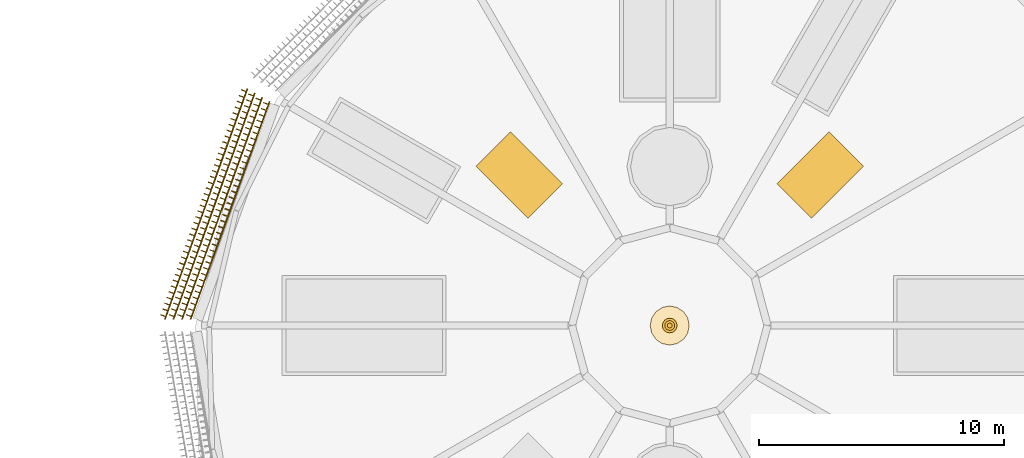
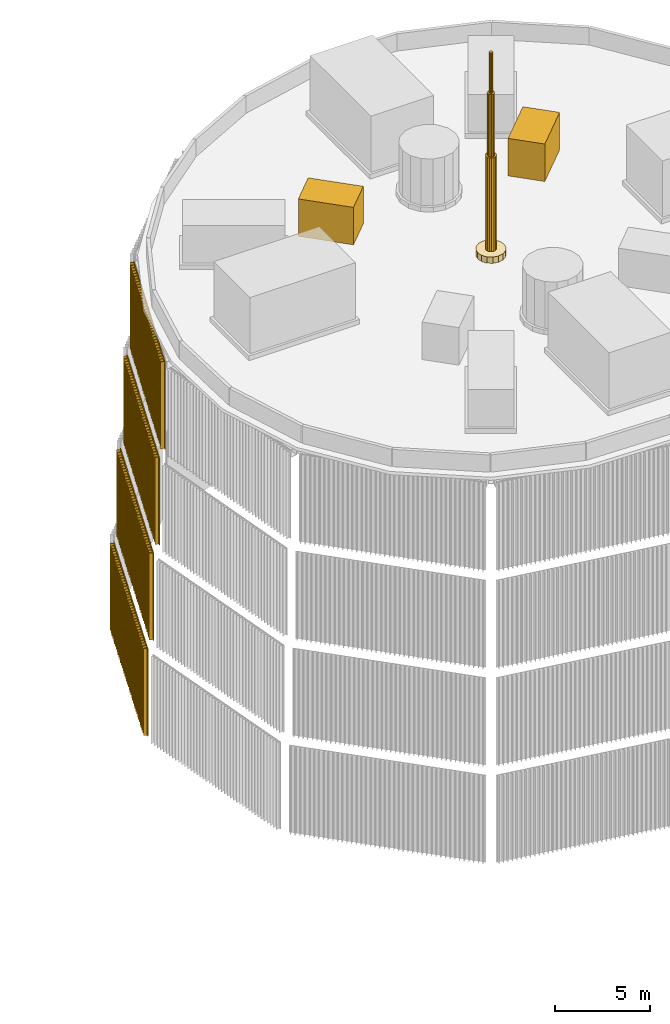
# One storey, part 16 of 24: 10 coverings.
"""IFC4 building model written with IfcOpenShell, lengths in metres."""

from ifc_helpers import new_model, si_unit, direction, frame, origin, place, context, subcontext, project, spatial, polyline, outline, extrude, material, type_object, element, save


model = new_model("IFC4")

# Units and contexts
model_context = context("Model", 3, precision=1e-05, world=origin(), true_north=direction((0.0, 1.0)))
body_context = subcontext(model_context, "Body", "Model", "MODEL_VIEW")
ifc_project = project(units=[si_unit("LENGTHUNIT", "METRE"), si_unit("AREAUNIT", "SQUARE_METRE"), si_unit("VOLUMEUNIT", "CUBIC_METRE"), si_unit("PLANEANGLEUNIT", "RADIAN"), si_unit("MASSUNIT", "GRAM", prefix="KILO")], contexts=[model_context])

# Site, building, storey
site_placement = place(None, origin())
site = spatial("IfcSite", under=ifc_project, at=site_placement, CompositionType="ELEMENT")
building_placement = place(site_placement, origin())
building = spatial("IfcBuilding", under=site, at=building_placement, Name="Rimbun Link Towers", CompositionType="ELEMENT")
storey_placement = place(building_placement, frame((0.0, 0.0, 294.89990234375)))
storey = spatial("IfcBuildingStorey", under=building, at=storey_placement, Name="Roof cap", CompositionType="ELEMENT", Elevation=294.89990234375)

# Coverings
ifc_material_1 = material(Name="Aluminium 6063-T6", Category="aluminium")
covering_type_1 = type_object("IfcCoveringType", Name="ROOF PLANT louvred enclosure 3000X2000X2400", PredefinedType="CLADDING", material=ifc_material_1)
covering_1_placement = place(storey_placement, frame((0.0, 0.0, 0.7001953125)))
element("IfcCovering", 1, at=covering_1_placement, inside=storey, type_object=covering_type_1, Name="ROOF PLANT louvred enclosure", PredefinedType="CLADDING", context=body_context, shape_type="SweptSolid", body=[
    extrude(outline(polyline([(37.54931640625, 4.385009765625), (39.670654296875, 6.50634765625), (38.25634765625, 7.920654296875), (36.135009765625, 5.79931640625), (37.54931640625, 4.385009765625)])), origin(), (0.0, 0.0, 1.0), 2.39990234375),
])
covering_2_placement = place(storey_placement, frame((0.0, 0.0, 0.7001953125)))
element("IfcCovering", 2, at=covering_2_placement, inside=storey, type_object=covering_type_1, Name="ROOF PLANT louvred enclosure", PredefinedType="CLADDING", context=body_context, shape_type="SweptSolid", body=[
    extrude(outline(polyline([(27.364990234375, 5.79931640625), (25.24365234375, 7.920654296875), (23.829345703125, 6.50634765625), (25.95068359375, 4.385009765625), (27.364990234375, 5.79931640625)])), origin(), (0.0, 0.0, 1.0), 2.39990234375),
])
ifc_material_2 = material(Name="Galvanised steel", Category="steel")
covering_type_2 = type_object("IfcCoveringType", Name="TELECOM MAST base ring 1600X400", PredefinedType="CLADDING", material=ifc_material_2)
covering_3_placement = place(storey_placement, frame((0.0, 0.0, 0.7001953125)))
element("IfcCovering", 3, at=covering_3_placement, inside=storey, type_object=covering_type_2, Name="TELECOM MAST base ring", PredefinedType="CLADDING", context=body_context, shape_type="SweptSolid", body=[
    extrude(outline(polyline([(32.550048828125, 0.0), (32.489013671875, 0.30615234375), (32.315673828125, 0.565673828125), (32.05615234375, 0.739013671875), (31.75, 0.800048828125), (31.44384765625, 0.739013671875), (31.184326171875, 0.565673828125), (31.010986328125, 0.30615234375), (30.949951171875, 0.0), (31.010986328125, -0.30615234375), (31.184326171875, -0.565673828125), (31.44384765625, -0.739013671875), (31.75, -0.800048828125), (32.05615234375, -0.739013671875), (32.315673828125, -0.565673828125), (32.489013671875, -0.30615234375), (32.550048828125, 0.0)])), origin(), (0.0, 0.0, 1.0), 0.39990234375),
])
ifc_material_3 = material(Name="Galvanised steel", Category="steel")
covering_type_3 = type_object("IfcCoveringType", Name="TELECOM MAST tube 200X2600", PredefinedType="CLADDING", material=ifc_material_3)
covering_4_placement = place(storey_placement, frame((0.0, 0.0, 11.10009765625)))
element("IfcCovering", 4, at=covering_4_placement, inside=storey, type_object=covering_type_3, Name="TELECOM MAST tube", PredefinedType="CLADDING", context=body_context, shape_type="SweptSolid", body=[
    extrude(outline(polyline([(31.85009765625, 0.0), (31.84228515625, 0.038330078125), (31.82080078125, 0.07080078125), (31.788330078125, 0.09228515625), (31.75, 0.10009765625), (31.711669921875, 0.09228515625), (31.67919921875, 0.07080078125), (31.65771484375, 0.038330078125), (31.64990234375, 0.0), (31.65771484375, -0.038330078125), (31.67919921875, -0.07080078125), (31.711669921875, -0.09228515625), (31.75, -0.10009765625), (31.788330078125, -0.09228515625), (31.82080078125, -0.07080078125), (31.84228515625, -0.038330078125), (31.85009765625, 0.0)])), origin(), (0.0, 0.0, 1.0), 2.60009765625),
])
ifc_material_4 = material(Name="Galvanised steel", Category="steel")
covering_type_4 = type_object("IfcCoveringType", Name="TELECOM MAST tube 400X4000", PredefinedType="CLADDING", material=ifc_material_4)
covering_5_placement = place(storey_placement, frame((0.0, 0.0, 7.10009765625)))
element("IfcCovering", 5, at=covering_5_placement, inside=storey, type_object=covering_type_4, Name="TELECOM MAST tube", PredefinedType="CLADDING", context=body_context, shape_type="SweptSolid", body=[
    extrude(outline(polyline([(31.949951171875, 0.0), (31.934814453125, 0.076416015625), (31.891357421875, 0.141357421875), (31.826416015625, 0.184814453125), (31.75, 0.199951171875), (31.673583984375, 0.184814453125), (31.608642578125, 0.141357421875), (31.565185546875, 0.076416015625), (31.550048828125, 0.0), (31.565185546875, -0.076416015625), (31.608642578125, -0.141357421875), (31.673583984375, -0.184814453125), (31.75, -0.199951171875), (31.826416015625, -0.184814453125), (31.891357421875, -0.141357421875), (31.934814453125, -0.076416015625), (31.949951171875, 0.0)])), origin(), (0.0, 0.0, 1.0), 4.0),
])
ifc_material_5 = material(Name="Galvanised steel", Category="steel")
covering_type_5 = type_object("IfcCoveringType", Name="TELECOM MAST tube 600X6000", PredefinedType="CLADDING", material=ifc_material_5)
covering_6_placement = place(storey_placement, frame((0.0, 0.0, 1.10009765625)))
element("IfcCovering", 6, at=covering_6_placement, inside=storey, type_object=covering_type_5, Name="TELECOM MAST tube", PredefinedType="CLADDING", context=body_context, shape_type="SweptSolid", body=[
    extrude(outline(polyline([(32.050048828125, 0.0), (32.027099609375, 0.11474609375), (31.962158203125, 0.212158203125), (31.86474609375, 0.277099609375), (31.75, 0.300048828125), (31.63525390625, 0.277099609375), (31.537841796875, 0.212158203125), (31.472900390625, 0.11474609375), (31.449951171875, 0.0), (31.472900390625, -0.11474609375), (31.537841796875, -0.212158203125), (31.63525390625, -0.277099609375), (31.75, -0.300048828125), (31.86474609375, -0.277099609375), (31.962158203125, -0.212158203125), (32.027099609375, -0.11474609375), (32.050048828125, 0.0)])), origin(), (0.0, 0.0, 1.0), 6.0),
])
ifc_material_6 = material(Name="Terracotta", Category="masonry")
covering_type_6 = type_object("IfcCoveringType", Name="TERRACOTTA CLADDING screen fins", PredefinedType="CLADDING", material=ifc_material_6)
covering_7_placement = place(storey_placement, frame((0.0, 0.0, -23.087890625)))
element("IfcCovering", 7, at=covering_7_placement, inside=storey, type_object=covering_type_6, Name="TERRACOTTA CLADDING screen", PredefinedType="CLADDING", context=body_context, shape_type="SweptSolid", body=[
    extrude(outline(polyline([(14.456787109375, 9.69091796875), (14.419677734375, 9.587158203125), (14.2314453125, 9.654541015625), (14.22119140625, 9.626220703125), (14.40966796875, 9.558837890625), (14.335205078125, 9.351318359375), (14.14697265625, 9.41845703125), (14.136962890625, 9.390380859375), (14.3251953125, 9.322998046875), (14.2509765625, 9.115234375), (14.0625, 9.1826171875), (14.052490234375, 9.154296875), (14.24072265625, 9.0869140625), (14.16650390625, 8.87939453125), (13.978271484375, 8.94677734375), (13.968017578125, 8.91845703125), (14.156494140625, 8.85107421875), (14.082275390625, 8.643310546875), (13.893798828125, 8.710693359375), (13.8837890625, 8.6826171875), (14.072021484375, 8.615234375), (13.997802734375, 8.407470703125), (13.809326171875, 8.474853515625), (13.79931640625, 8.446533203125), (13.98779296875, 8.379150390625), (13.913330078125, 8.171630859375), (13.72509765625, 8.239013671875), (13.715087890625, 8.210693359375), (13.9033203125, 8.143310546875), (13.8291015625, 7.935546875), (13.640625, 8.0029296875), (13.630615234375, 7.974609375), (13.81884765625, 7.907470703125), (13.74462890625, 7.69970703125), (13.556396484375, 7.76708984375), (13.546142578125, 7.73876953125), (13.734619140625, 7.67138671875), (13.66015625, 7.4638671875), (13.471923828125, 7.531005859375), (13.4619140625, 7.5029296875), (13.650146484375, 7.435546875), (13.57568359375, 7.227783203125), (13.387451171875, 7.295166015625), (13.37744140625, 7.26708984375), (13.565673828125, 7.19970703125), (13.491455078125, 6.991943359375), (13.302978515625, 7.059326171875), (13.29296875, 7.031005859375), (13.481201171875, 6.963623046875), (13.406982421875, 6.756103515625), (13.21875, 6.823486328125), (13.20849609375, 6.795166015625), (13.39697265625, 6.727783203125), (13.32275390625, 6.52001953125), (13.134521484375, 6.58740234375), (13.124267578125, 6.55908203125), (13.3125, 6.49169921875), (13.23828125, 6.2841796875), (13.050048828125, 6.3515625), (13.039794921875, 6.3232421875), (13.228271484375, 6.255859375), (13.15380859375, 6.048095703125), (12.965576171875, 6.115478515625), (12.95556640625, 6.08740234375), (13.143798828125, 6.02001953125), (13.069580078125, 5.812255859375), (12.881103515625, 5.879638671875), (12.87109375, 5.851318359375), (13.059326171875, 5.7841796875), (12.985107421875, 5.576416015625), (12.796875, 5.643798828125), (12.78662109375, 5.615478515625), (12.97509765625, 5.548095703125), (12.900634765625, 5.340576171875), (12.71240234375, 5.40771484375), (12.702392578125, 5.379638671875), (12.890625, 5.312255859375), (12.81640625, 5.1044921875), (12.6279296875, 5.171875), (12.617919921875, 5.143798828125), (12.806396484375, 5.076416015625), (12.73193359375, 4.86865234375), (12.543701171875, 4.93603515625), (12.53369140625, 4.90771484375), (12.721923828125, 4.84033203125), (12.647705078125, 4.6328125), (12.459228515625, 4.7001953125), (12.44921875, 4.671875), (12.637451171875, 4.6044921875), (12.563232421875, 4.396728515625), (12.375, 4.464111328125), (12.36474609375, 4.435791015625), (12.552978515625, 4.368408203125), (12.478759765625, 4.160888671875), (12.29052734375, 4.228271484375), (12.280517578125, 4.199951171875), (12.46875, 4.132568359375), (12.394287109375, 3.9248046875), (12.2060546875, 3.9921875), (12.196044921875, 3.964111328125), (12.38427734375, 3.896728515625), (12.31005859375, 3.68896484375), (12.12158203125, 3.75634765625), (12.111572265625, 3.72802734375), (12.2998046875, 3.660888671875), (12.2255859375, 3.453125), (12.037353515625, 3.5205078125), (12.027099609375, 3.4921875), (12.215576171875, 3.4248046875), (12.141357421875, 3.21728515625), (11.952880859375, 3.284423828125), (11.94287109375, 3.25634765625), (12.131103515625, 3.18896484375), (12.056884765625, 2.981201171875), (11.86865234375, 3.048583984375), (11.8583984375, 3.0205078125), (12.046875, 2.952880859375), (11.972412109375, 2.745361328125), (11.7841796875, 2.812744140625), (11.774169921875, 2.784423828125), (11.96240234375, 2.717041015625), (11.88818359375, 2.509521484375), (11.69970703125, 2.576904296875), (11.689697265625, 2.548583984375), (11.8779296875, 2.481201171875), (11.8037109375, 2.2734375), (11.615478515625, 2.3408203125), (11.605224609375, 2.3125), (11.793701171875, 2.2451171875), (11.71923828125, 2.03759765625), (11.531005859375, 2.10498046875), (11.52099609375, 2.07666015625), (11.709228515625, 2.00927734375), (11.635009765625, 1.801513671875), (11.446533203125, 1.868896484375), (11.4365234375, 1.8408203125), (11.625, 1.7734375), (11.550537109375, 1.565673828125), (11.3623046875, 1.633056640625), (11.352294921875, 1.604736328125), (11.54052734375, 1.53759765625), (11.46630859375, 1.329833984375), (11.27783203125, 1.397216796875), (11.267822265625, 1.368896484375), (11.4560546875, 1.301513671875), (11.3818359375, 1.093994140625), (11.193603515625, 1.1611328125), (11.183349609375, 1.133056640625), (11.37158203125, 1.065673828125), (11.29736328125, 0.85791015625), (11.109130859375, 0.92529296875), (11.09912109375, 0.89697265625), (11.287353515625, 0.82958984375), (11.212890625, 0.6220703125), (11.024658203125, 0.689453125), (11.0146484375, 0.6611328125), (11.202880859375, 0.59375), (11.128662109375, 0.385986328125), (10.940185546875, 0.453369140625), (10.93017578125, 0.42529296875), (11.118408203125, 0.35791015625), (11.081298828125, 0.25390625), (11.134521484375, 0.25390625), (14.500732421875, 9.66552734375), (14.456787109375, 9.69091796875)])), origin(), (0.0, 0.0, 1.0), 5.575927734375),
])
covering_8_placement = place(storey_placement, frame((0.0, 0.0, -17.087890625)))
element("IfcCovering", 8, at=covering_8_placement, inside=storey, type_object=covering_type_6, Name="TERRACOTTA CLADDING screen", PredefinedType="CLADDING", context=body_context, shape_type="SweptSolid", body=[
    extrude(outline(polyline([(14.760009765625, 9.515869140625), (14.722412109375, 9.411376953125), (14.5341796875, 9.47900390625), (14.52392578125, 9.45068359375), (14.712158203125, 9.383056640625), (14.636962890625, 9.173828125), (14.44873046875, 9.241455078125), (14.438720703125, 9.213134765625), (14.626953125, 9.1455078125), (14.5517578125, 8.936279296875), (14.36328125, 9.00390625), (14.353271484375, 8.9755859375), (14.54150390625, 8.908203125), (14.46630859375, 8.698974609375), (14.278076171875, 8.7666015625), (14.267822265625, 8.73828125), (14.456298828125, 8.670654296875), (14.381103515625, 8.46142578125), (14.192626953125, 8.529052734375), (14.1826171875, 8.500732421875), (14.370849609375, 8.43310546875), (14.295654296875, 8.223876953125), (14.107421875, 8.29150390625), (14.09716796875, 8.26318359375), (14.285400390625, 8.195556640625), (14.210205078125, 7.986328125), (14.02197265625, 8.053955078125), (14.011962890625, 8.02587890625), (14.2001953125, 7.958251953125), (14.125, 7.748779296875), (13.936767578125, 7.81640625), (13.926513671875, 7.788330078125), (14.11474609375, 7.720703125), (14.03955078125, 7.511474609375), (13.851318359375, 7.5791015625), (13.84130859375, 7.55078125), (14.029296875, 7.483154296875), (13.9541015625, 7.27392578125), (13.76611328125, 7.341552734375), (13.755859375, 7.313232421875), (13.944091796875, 7.24560546875), (13.868896484375, 7.03662109375), (13.6806640625, 7.10400390625), (13.67041015625, 7.075927734375), (13.858642578125, 7.00830078125), (13.783447265625, 6.799072265625), (13.59521484375, 6.86669921875), (13.585205078125, 6.83837890625), (13.7734375, 6.770751953125), (13.6982421875, 6.5615234375), (13.510009765625, 6.629150390625), (13.499755859375, 6.600830078125), (13.68798828125, 6.533203125), (13.61279296875, 6.323974609375), (13.424560546875, 6.3916015625), (13.41455078125, 6.36328125), (13.602783203125, 6.2958984375), (13.527587890625, 6.08642578125), (13.33935546875, 6.154296875), (13.3291015625, 6.1259765625), (13.517333984375, 6.058349609375), (13.442138671875, 5.84912109375), (13.25390625, 5.916748046875), (13.243896484375, 5.888427734375), (13.431884765625, 5.82080078125), (13.356689453125, 5.611572265625), (13.168701171875, 5.67919921875), (13.158447265625, 5.65087890625), (13.3466796875, 5.583251953125), (13.271484375, 5.3740234375), (13.083251953125, 5.441650390625), (13.072998046875, 5.41357421875), (13.26123046875, 5.345703125), (13.18603515625, 5.13671875), (12.997802734375, 5.2041015625), (12.98779296875, 5.176025390625), (13.17578125, 5.1083984375), (13.1005859375, 4.899169921875), (12.91259765625, 4.966796875), (12.90234375, 4.9384765625), (13.090576171875, 4.870849609375), (13.015380859375, 4.66162109375), (12.8271484375, 4.729248046875), (12.81689453125, 4.700927734375), (13.005126953125, 4.63330078125), (12.929931640625, 4.424072265625), (12.74169921875, 4.49169921875), (12.731689453125, 4.46337890625), (12.919921875, 4.39599609375), (12.8447265625, 4.1865234375), (12.656494140625, 4.25439453125), (12.646240234375, 4.22607421875), (12.83447265625, 4.158447265625), (12.75927734375, 3.94921875), (12.571044921875, 4.016845703125), (12.56103515625, 3.988525390625), (12.749267578125, 3.9208984375), (12.674072265625, 3.711669921875), (12.48583984375, 3.779296875), (12.4755859375, 3.751220703125), (12.663818359375, 3.683349609375), (12.588623046875, 3.47412109375), (12.400390625, 3.541748046875), (12.390380859375, 3.513671875), (12.57861328125, 3.44580078125), (12.50341796875, 3.23681640625), (12.315185546875, 3.30419921875), (12.304931640625, 3.276123046875), (12.4931640625, 3.20849609375), (12.41796875, 2.999267578125), (12.229736328125, 3.06689453125), (12.219482421875, 3.03857421875), (12.40771484375, 2.970947265625), (12.33251953125, 2.76171875), (12.144287109375, 2.829345703125), (12.13427734375, 2.801025390625), (12.322509765625, 2.7333984375), (12.247314453125, 2.524169921875), (12.05908203125, 2.591796875), (12.048828125, 2.563720703125), (12.237060546875, 2.49609375), (12.161865234375, 2.28662109375), (11.9736328125, 2.3544921875), (11.96337890625, 2.326171875), (12.15185546875, 2.258544921875), (12.07666015625, 2.04931640625), (11.88818359375, 2.116943359375), (11.878173828125, 2.088623046875), (12.06640625, 2.02099609375), (11.9912109375, 1.811767578125), (11.802978515625, 1.87939453125), (11.792724609375, 1.851318359375), (11.981201171875, 1.783447265625), (11.906005859375, 1.57421875), (11.717529296875, 1.641845703125), (11.70751953125, 1.61376953125), (11.895751953125, 1.546142578125), (11.820556640625, 1.3369140625), (11.63232421875, 1.404296875), (11.6220703125, 1.376220703125), (11.810302734375, 1.30859375), (11.735107421875, 1.099365234375), (11.546875, 1.1669921875), (11.536865234375, 1.138671875), (11.72509765625, 1.071044921875), (11.64990234375, 0.86181640625), (11.461669921875, 0.929443359375), (11.451416015625, 0.901123046875), (11.6396484375, 0.83349609375), (11.564453125, 0.624267578125), (11.376220703125, 0.69189453125), (11.3662109375, 0.663818359375), (11.55419921875, 0.59619140625), (11.47900390625, 0.386962890625), (11.291015625, 0.45458984375), (11.28076171875, 0.42626953125), (11.468994140625, 0.358642578125), (11.431396484375, 0.25390625), (11.484619140625, 0.25390625), (14.803955078125, 9.490478515625), (14.760009765625, 9.515869140625)])), origin(), (0.0, 0.0, 1.0), 5.575927734375),
])
covering_9_placement = place(storey_placement, frame((0.0, 0.0, -11.087890625)))
element("IfcCovering", 9, at=covering_9_placement, inside=storey, type_object=covering_type_6, Name="TERRACOTTA CLADDING screen", PredefinedType="CLADDING", context=body_context, shape_type="SweptSolid", body=[
    extrude(outline(polyline([(15.06298828125, 9.3408203125), (15.02490234375, 9.235595703125), (14.8369140625, 9.303466796875), (14.82666015625, 9.275146484375), (15.014892578125, 9.207275390625), (14.938720703125, 8.996337890625), (14.75048828125, 9.064208984375), (14.740234375, 9.0361328125), (14.928466796875, 8.968017578125), (14.852294921875, 8.757080078125), (14.6640625, 8.8251953125), (14.654052734375, 8.796875), (14.842041015625, 8.72900390625), (14.765869140625, 8.51806640625), (14.577880859375, 8.5859375), (14.567626953125, 8.557861328125), (14.755615234375, 8.489990234375), (14.679443359375, 8.279052734375), (14.491455078125, 8.346923828125), (14.481201171875, 8.318603515625), (14.669189453125, 8.250732421875), (14.59326171875, 8.039794921875), (14.405029296875, 8.10791015625), (14.39501953125, 8.07958984375), (14.5830078125, 8.01171875), (14.5068359375, 7.80078125), (14.318603515625, 7.86865234375), (14.30859375, 7.84033203125), (14.49658203125, 7.7724609375), (14.42041015625, 7.5615234375), (14.232421875, 7.62939453125), (14.22216796875, 7.601318359375), (14.410400390625, 7.533203125), (14.333984375, 7.322509765625), (14.14599609375, 7.390380859375), (14.1357421875, 7.3623046875), (14.323974609375, 7.294189453125), (14.247802734375, 7.083251953125), (14.0595703125, 7.151123046875), (14.04931640625, 7.123046875), (14.237548828125, 7.05517578125), (14.161376953125, 6.84423828125), (13.973388671875, 6.912109375), (13.963134765625, 6.8837890625), (14.151123046875, 6.81591796875), (14.074951171875, 6.60498046875), (13.886962890625, 6.673095703125), (13.876708984375, 6.644775390625), (14.064697265625, 6.576904296875), (13.988525390625, 6.365966796875), (13.800537109375, 6.433837890625), (13.790283203125, 6.405517578125), (13.978515625, 6.337646484375), (13.90234375, 6.126708984375), (13.714111328125, 6.194580078125), (13.7041015625, 6.16650390625), (13.89208984375, 6.0986328125), (13.81591796875, 5.8876953125), (13.627685546875, 5.95556640625), (13.61767578125, 5.927490234375), (13.8056640625, 5.859375), (13.7294921875, 5.6484375), (13.54150390625, 5.716552734375), (13.53125, 5.688232421875), (13.719482421875, 5.620361328125), (13.643310546875, 5.409423828125), (13.455078125, 5.477294921875), (13.44482421875, 5.44921875), (13.633056640625, 5.381103515625), (13.556884765625, 5.17041015625), (13.36865234375, 5.23828125), (13.3583984375, 5.2099609375), (13.546630859375, 5.14208984375), (13.470458984375, 4.93115234375), (13.282470703125, 4.9990234375), (13.272216796875, 4.970947265625), (13.460205078125, 4.90283203125), (13.384033203125, 4.69189453125), (13.196044921875, 4.760009765625), (13.185791015625, 4.731689453125), (13.373779296875, 4.663818359375), (13.2978515625, 4.452880859375), (13.109619140625, 4.520751953125), (13.099609375, 4.49267578125), (13.28759765625, 4.4248046875), (13.21142578125, 4.213623046875), (13.023193359375, 4.28173828125), (13.01318359375, 4.25341796875), (13.201171875, 4.185546875), (13.125, 3.974609375), (12.93701171875, 4.04248046875), (12.9267578125, 4.014404296875), (13.11474609375, 3.9462890625), (13.038818359375, 3.735595703125), (12.8505859375, 3.803466796875), (12.84033203125, 3.775146484375), (13.028564453125, 3.707275390625), (12.952392578125, 3.496337890625), (12.76416015625, 3.564208984375), (12.75390625, 3.5361328125), (12.942138671875, 3.468017578125), (12.865966796875, 3.257080078125), (12.677734375, 3.3251953125), (12.66748046875, 3.296875), (12.855712890625, 3.22900390625), (12.779541015625, 3.01806640625), (12.591552734375, 3.0859375), (12.581298828125, 3.057861328125), (12.769287109375, 2.989990234375), (12.693115234375, 2.779052734375), (12.505126953125, 2.846923828125), (12.494873046875, 2.818603515625), (12.68310546875, 2.750732421875), (12.60693359375, 2.539794921875), (12.418701171875, 2.60791015625), (12.40869140625, 2.57958984375), (12.5966796875, 2.51171875), (12.5205078125, 2.30078125), (12.33251953125, 2.36865234375), (12.322265625, 2.34033203125), (12.51025390625, 2.2724609375), (12.43408203125, 2.0615234375), (12.24609375, 2.12939453125), (12.23583984375, 2.101318359375), (12.424072265625, 2.033447265625), (12.347900390625, 1.822509765625), (12.15966796875, 1.890380859375), (12.1494140625, 1.8623046875), (12.337646484375, 1.794189453125), (12.261474609375, 1.583251953125), (12.0732421875, 1.6513671875), (12.06298828125, 1.623046875), (12.251220703125, 1.55517578125), (12.175048828125, 1.34423828125), (11.987060546875, 1.412109375), (11.976806640625, 1.3837890625), (12.164794921875, 1.31591796875), (12.088623046875, 1.10498046875), (11.900634765625, 1.173095703125), (11.890380859375, 1.144775390625), (12.07861328125, 1.076904296875), (12.002197265625, 0.865966796875), (11.814208984375, 0.933837890625), (11.803955078125, 0.90576171875), (11.9921875, 0.837646484375), (11.916015625, 0.626708984375), (11.727783203125, 0.694580078125), (11.7177734375, 0.66650390625), (11.90576171875, 0.5986328125), (11.82958984375, 0.3876953125), (11.6416015625, 0.45556640625), (11.63134765625, 0.427490234375), (11.8193359375, 0.359619140625), (11.78125, 0.25390625), (11.83447265625, 0.25390625), (15.10693359375, 9.3154296875), (15.06298828125, 9.3408203125)])), origin(), (0.0, 0.0, 1.0), 5.575927734375),
])
covering_10_placement = place(storey_placement, frame((0.0, 0.0, -5.087890625)))
element("IfcCovering", 10, at=covering_10_placement, inside=storey, type_object=covering_type_6, Name="TERRACOTTA CLADDING screen", PredefinedType="CLADDING", context=body_context, shape_type="SweptSolid", body=[
    extrude(outline(polyline([(15.3662109375, 9.166015625), (15.32763671875, 9.0595703125), (15.1396484375, 9.127685546875), (15.12939453125, 9.099609375), (15.3173828125, 9.031494140625), (15.239990234375, 8.818603515625), (15.05224609375, 8.886962890625), (15.0419921875, 8.85888671875), (15.22998046875, 8.79052734375), (15.152587890625, 8.577880859375), (14.964599609375, 8.64599609375), (14.95458984375, 8.617919921875), (15.142578125, 8.5498046875), (15.065185546875, 8.3369140625), (14.877197265625, 8.4052734375), (14.8671875, 8.376953125), (15.05517578125, 8.308837890625), (14.977783203125, 8.09619140625), (14.789794921875, 8.164306640625), (14.779541015625, 8.13623046875), (14.967529296875, 8.06787109375), (14.890380859375, 7.855224609375), (14.702392578125, 7.923583984375), (14.692138671875, 7.895263671875), (14.880126953125, 7.8271484375), (14.802978515625, 7.614501953125), (14.614990234375, 7.6826171875), (14.604736328125, 7.654541015625), (14.792724609375, 7.586181640625), (14.715576171875, 7.37353515625), (14.527587890625, 7.44189453125), (14.517333984375, 7.41357421875), (14.705322265625, 7.34521484375), (14.628173828125, 7.1328125), (14.440185546875, 7.200927734375), (14.429931640625, 7.172607421875), (14.617919921875, 7.1044921875), (14.540771484375, 6.891845703125), (14.352783203125, 6.960205078125), (14.342529296875, 6.931884765625), (14.530517578125, 6.863525390625), (14.453369140625, 6.65087890625), (14.265380859375, 6.71923828125), (14.255126953125, 6.69091796875), (14.443115234375, 6.622802734375), (14.365966796875, 6.41015625), (14.177978515625, 6.478271484375), (14.16748046875, 6.4501953125), (14.355712890625, 6.3818359375), (14.2783203125, 6.169189453125), (14.09033203125, 6.237548828125), (14.080078125, 6.209228515625), (14.268310546875, 6.14111328125), (14.19091796875, 5.928466796875), (14.0029296875, 5.99658203125), (13.992919921875, 5.968505859375), (14.180908203125, 5.900146484375), (14.103515625, 5.6875), (13.91552734375, 5.755859375), (13.9052734375, 5.7275390625), (14.09326171875, 5.6591796875), (14.01611328125, 5.446533203125), (13.828125, 5.514892578125), (13.81787109375, 5.48681640625), (14.005859375, 5.41845703125), (13.9287109375, 5.205810546875), (13.74072265625, 5.27392578125), (13.73046875, 5.245849609375), (13.91845703125, 5.177490234375), (13.84130859375, 4.96484375), (13.6533203125, 5.033203125), (13.64306640625, 5.0048828125), (13.8310546875, 4.936767578125), (13.75390625, 4.72412109375), (13.56591796875, 4.792236328125), (13.5556640625, 4.76416015625), (13.74365234375, 4.69580078125), (13.66650390625, 4.483154296875), (13.478515625, 4.551513671875), (13.46826171875, 4.523193359375), (13.65625, 4.455078125), (13.5791015625, 4.2421875), (13.39111328125, 4.310546875), (13.380859375, 4.282470703125), (13.56884765625, 4.214111328125), (13.49169921875, 4.00146484375), (13.3037109375, 4.069580078125), (13.293212890625, 4.04150390625), (13.481201171875, 3.973388671875), (13.404052734375, 3.760498046875), (13.216064453125, 3.828857421875), (13.205810546875, 3.800537109375), (13.393798828125, 3.732421875), (13.316650390625, 3.519775390625), (13.128662109375, 3.587890625), (13.118408203125, 3.559814453125), (13.306396484375, 3.491455078125), (13.229248046875, 3.27880859375), (13.041259765625, 3.34716796875), (13.031005859375, 3.31884765625), (13.218994140625, 3.250732421875), (13.141845703125, 3.0380859375), (12.953857421875, 3.106201171875), (12.943603515625, 3.078125), (13.131591796875, 3.009765625), (13.054443359375, 2.797119140625), (12.866455078125, 2.865478515625), (12.856201171875, 2.837158203125), (13.044189453125, 2.76904296875), (12.967041015625, 2.556396484375), (12.779052734375, 2.62451171875), (12.768798828125, 2.59619140625), (12.956787109375, 2.528076171875), (12.879638671875, 2.3154296875), (12.691650390625, 2.3837890625), (12.681396484375, 2.35546875), (12.869384765625, 2.287109375), (12.7919921875, 2.07470703125), (12.60400390625, 2.142822265625), (12.593994140625, 2.114501953125), (12.781982421875, 2.04638671875), (12.70458984375, 1.833740234375), (12.5166015625, 1.90185546875), (12.506591796875, 1.873779296875), (12.694580078125, 1.805419921875), (12.6171875, 1.5927734375), (12.42919921875, 1.6611328125), (12.419189453125, 1.6328125), (12.60693359375, 1.564697265625), (12.52978515625, 1.35205078125), (12.341796875, 1.420166015625), (12.33154296875, 1.39208984375), (12.51953125, 1.32373046875), (12.4423828125, 1.111083984375), (12.25439453125, 1.179443359375), (12.244140625, 1.151123046875), (12.43212890625, 1.0830078125), (12.35498046875, 0.870361328125), (12.1669921875, 0.9384765625), (12.15673828125, 0.910400390625), (12.3447265625, 0.842041015625), (12.267578125, 0.62939453125), (12.07958984375, 0.697509765625), (12.0693359375, 0.66943359375), (12.25732421875, 0.601318359375), (12.18017578125, 0.388427734375), (11.9921875, 0.456787109375), (11.98193359375, 0.4287109375), (12.169921875, 0.3603515625), (12.13134765625, 0.25390625), (12.1845703125, 0.25390625), (15.41015625, 9.140380859375), (15.3662109375, 9.166015625)])), origin(), (0.0, 0.0, 1.0), 5.575927734375),
])

save(model, "model.ifc")
